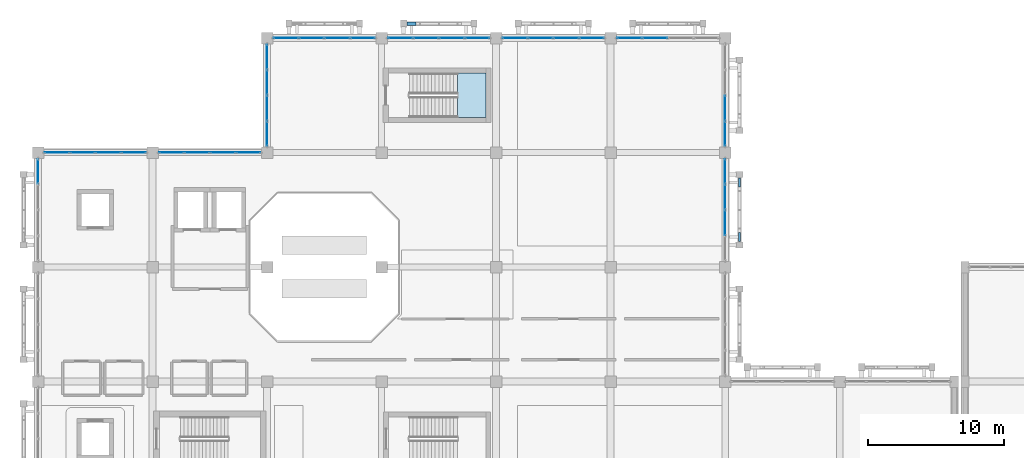
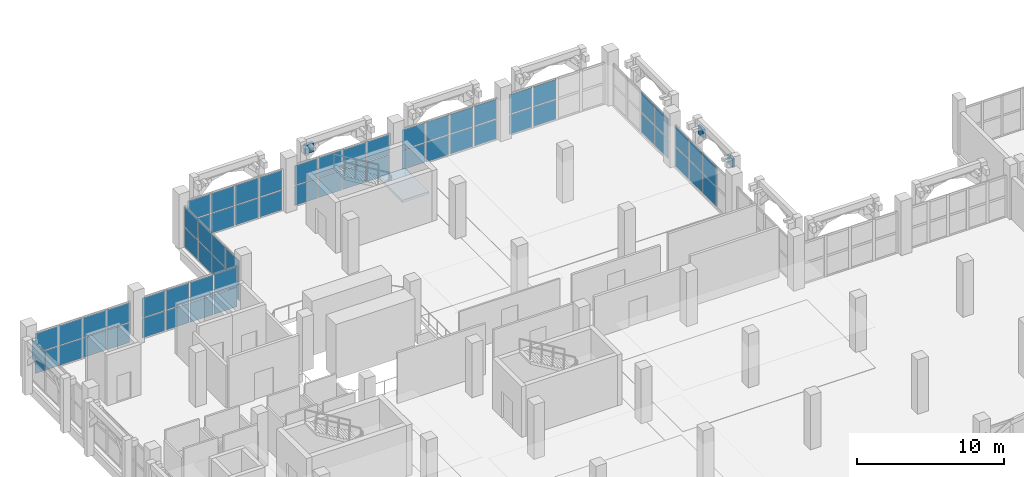
# One storey, part 102 of 137: 66 plates, 1 slab, 11 elements without a shape of their own.
"""IFC4 building model written with IfcOpenShell, lengths in metres."""

from ifc_helpers import new_model, si_unit, direction, frame, origin, origin_2d, place, context, subcontext, project, spatial, polyline, rectangle, outline, extrude, material, layer, layer_set, type_object, element, aggregate, save


model = new_model("IFC4")

# Units and contexts
model_context = context("Model", 3, precision=1e-05, world=origin(), true_north=direction((0.0, 1.0)))
body_context = subcontext(model_context, "Body", "Model", "MODEL_VIEW")
ifc_project = project(units=[si_unit("LENGTHUNIT", "METRE"), si_unit("AREAUNIT", "SQUARE_METRE"), si_unit("VOLUMEUNIT", "CUBIC_METRE"), si_unit("PLANEANGLEUNIT", "RADIAN"), si_unit("MASSUNIT", "GRAM", prefix="KILO")], contexts=[model_context])

# Site, building, storey
site_placement = place(None, origin())
site = spatial("IfcSite", under=ifc_project, at=site_placement, CompositionType="ELEMENT")
building_placement = place(site_placement, origin())
building = spatial("IfcBuilding", under=site, at=building_placement, Name="Xazarin Passage Department Store", CompositionType="ELEMENT")
storey_placement = place(building_placement, frame((0.0, 0.0, 5.39990234375)))
storey = spatial("IfcBuildingStorey", under=building, at=storey_placement, Name="L01", CompositionType="ELEMENT", Elevation=5.39990234375)

# Curtain wall, plates
ifc_material_1 = material(Name="Bronze anodised aluminium", Category="aluminium")
ifc_layer_1 = layer(ifc_material_1, 0.179931640625)
ifc_layer_set_1 = layer_set([ifc_layer_1], Name="Bronze anodised aluminium")
curtain_wall_type = type_object("IfcCurtainWallType", Name="ARC-CW-VIT1", PredefinedType="NOTDEFINED", material=ifc_layer_set_1)
curtain_wall_1_placement = place(storey_placement, origin())
curtain_wall_1 = element("IfcCurtainWall", 1, at=curtain_wall_1_placement, inside=storey, type_object=curtain_wall_type, Name="L01 V1 Curtain Wall 012", PredefinedType="NOTDEFINED")
ifc_material_2 = material(Name="Low-E laminated safety glass", Category="glass")
ifc_layer_2 = layer(ifc_material_2, 0.031982421875)
ifc_layer_set_2 = layer_set([ifc_layer_2], Name="Low-E laminated safety glass")
plate_type_1 = type_object("IfcPlateType", Name="ARC-CWP-GLZ32", PredefinedType="CURTAIN_PANEL", material=ifc_layer_set_2)
plate_1_placement = place(storey_placement, frame((1.387451171875, 101.60009765625, 0.0751953125), z_axis=(0.0, 0.0, 1.0), x_axis=(1.0, 0.0, 0.0)))
plate_1 = element("IfcPlate", 2, at=plate_1_placement, type_object=plate_type_1, Name="CW1 panel 1.1", PredefinedType="CURTAIN_PANEL", context=body_context, shape_type="SweptSolid", body=[
    extrude(rectangle(XDim=1.77490234375, YDim=0.031982421875, at=origin_2d()), origin(), (0.0, 0.0, 1.0), 1.612548828125),
])
plate_2_placement = place(storey_placement, frame((1.387451171875, 101.60009765625, 1.7626953125), z_axis=(0.0, 0.0, 1.0), x_axis=(1.0, 0.0, 0.0)))
plate_2 = element("IfcPlate", 3, at=plate_2_placement, type_object=plate_type_1, Name="CW1 panel 1.2", PredefinedType="CURTAIN_PANEL", context=body_context, shape_type="SweptSolid", body=[
    extrude(rectangle(XDim=1.77490234375, YDim=0.031982421875, at=origin_2d()), origin(), (0.0, 0.0, 1.0), 1.612548828125),
])
plate_3_placement = place(storey_placement, frame((3.25634765625, 101.60009765625, 0.0751953125), z_axis=(0.0, 0.0, 1.0), x_axis=(1.0, 0.0, 0.0)))
plate_3 = element("IfcPlate", 4, at=plate_3_placement, type_object=plate_type_1, Name="CW1 panel 2.1", PredefinedType="CURTAIN_PANEL", context=body_context, shape_type="SweptSolid", body=[
    extrude(rectangle(XDim=1.8125, YDim=0.031982421875, at=origin_2d()), origin(), (0.0, 0.0, 1.0), 1.612548828125),
])
plate_4_placement = place(storey_placement, frame((3.25634765625, 101.60009765625, 1.7626953125), z_axis=(0.0, 0.0, 1.0), x_axis=(1.0, 0.0, 0.0)))
plate_4 = element("IfcPlate", 5, at=plate_4_placement, type_object=plate_type_1, Name="CW1 panel 2.2", PredefinedType="CURTAIN_PANEL", context=body_context, shape_type="SweptSolid", body=[
    extrude(rectangle(XDim=1.8125, YDim=0.031982421875, at=origin_2d()), origin(), (0.0, 0.0, 1.0), 1.612548828125),
])
plate_5_placement = place(storey_placement, frame((5.143798828125, 101.60009765625, 0.0751953125), z_axis=(0.0, 0.0, 1.0), x_axis=(1.0, 0.0, 0.0)))
plate_5 = element("IfcPlate", 6, at=plate_5_placement, type_object=plate_type_1, Name="CW1 panel 3.1", PredefinedType="CURTAIN_PANEL", context=body_context, shape_type="SweptSolid", body=[
    extrude(rectangle(XDim=1.8125, YDim=0.031982421875, at=origin_2d()), origin(), (0.0, 0.0, 1.0), 1.612548828125),
])
plate_6_placement = place(storey_placement, frame((5.143798828125, 101.60009765625, 1.7626953125), z_axis=(0.0, 0.0, 1.0), x_axis=(1.0, 0.0, 0.0)))
plate_6 = element("IfcPlate", 7, at=plate_6_placement, type_object=plate_type_1, Name="CW1 panel 3.2", PredefinedType="CURTAIN_PANEL", context=body_context, shape_type="SweptSolid", body=[
    extrude(rectangle(XDim=1.8125, YDim=0.031982421875, at=origin_2d()), origin(), (0.0, 0.0, 1.0), 1.612548828125),
])
plate_7_placement = place(storey_placement, frame((7.012451171875, 101.60009765625, 0.0751953125), z_axis=(0.0, 0.0, 1.0), x_axis=(1.0, 0.0, 0.0)))
plate_7 = element("IfcPlate", 8, at=plate_7_placement, type_object=plate_type_1, Name="CW1 panel 4.1", PredefinedType="CURTAIN_PANEL", context=body_context, shape_type="SweptSolid", body=[
    extrude(rectangle(XDim=1.77490234375, YDim=0.031982421875, at=origin_2d()), origin(), (0.0, 0.0, 1.0), 1.612548828125),
])
plate_8_placement = place(storey_placement, frame((7.012451171875, 101.60009765625, 1.7626953125), z_axis=(0.0, 0.0, 1.0), x_axis=(1.0, 0.0, 0.0)))
plate_8 = element("IfcPlate", 9, at=plate_8_placement, type_object=plate_type_1, Name="CW1 panel 4.2", PredefinedType="CURTAIN_PANEL", context=body_context, shape_type="SweptSolid", body=[
    extrude(rectangle(XDim=1.77490234375, YDim=0.031982421875, at=origin_2d()), origin(), (0.0, 0.0, 1.0), 1.612548828125),
])
aggregate(curtain_wall_1, [plate_1, plate_2, plate_3, plate_4, plate_5, plate_6, plate_7, plate_8])

curtain_wall_2_placement = place(storey_placement, origin())
curtain_wall_2 = element("IfcCurtainWall", 10, at=curtain_wall_2_placement, inside=storey, type_object=curtain_wall_type, Name="L01 V1 Curtain Wall 013", PredefinedType="NOTDEFINED")
plate_9_placement = place(storey_placement, frame((9.78759765625, 101.60009765625, 0.0751953125), z_axis=(0.0, 0.0, 1.0), x_axis=(1.0, 0.0, 0.0)))
plate_9 = element("IfcPlate", 11, at=plate_9_placement, type_object=plate_type_1, Name="CW1 panel 1.1", PredefinedType="CURTAIN_PANEL", context=body_context, shape_type="SweptSolid", body=[
    extrude(rectangle(XDim=1.77490234375, YDim=0.031982421875, at=origin_2d()), origin(), (0.0, 0.0, 1.0), 1.612548828125),
])
plate_10_placement = place(storey_placement, frame((9.78759765625, 101.60009765625, 1.7626953125), z_axis=(0.0, 0.0, 1.0), x_axis=(1.0, 0.0, 0.0)))
plate_10 = element("IfcPlate", 12, at=plate_10_placement, type_object=plate_type_1, Name="CW1 panel 1.2", PredefinedType="CURTAIN_PANEL", context=body_context, shape_type="SweptSolid", body=[
    extrude(rectangle(XDim=1.77490234375, YDim=0.031982421875, at=origin_2d()), origin(), (0.0, 0.0, 1.0), 1.612548828125),
])
plate_11_placement = place(storey_placement, frame((11.65625, 101.60009765625, 0.0751953125), z_axis=(0.0, 0.0, 1.0), x_axis=(1.0, 0.0, 0.0)))
plate_11 = element("IfcPlate", 13, at=plate_11_placement, type_object=plate_type_1, Name="CW1 panel 2.1", PredefinedType="CURTAIN_PANEL", context=body_context, shape_type="SweptSolid", body=[
    extrude(rectangle(XDim=1.8125, YDim=0.031982421875, at=origin_2d()), origin(), (0.0, 0.0, 1.0), 1.612548828125),
])
plate_12_placement = place(storey_placement, frame((11.65625, 101.60009765625, 1.7626953125), z_axis=(0.0, 0.0, 1.0), x_axis=(1.0, 0.0, 0.0)))
plate_12 = element("IfcPlate", 14, at=plate_12_placement, type_object=plate_type_1, Name="CW1 panel 2.2", PredefinedType="CURTAIN_PANEL", context=body_context, shape_type="SweptSolid", body=[
    extrude(rectangle(XDim=1.8125, YDim=0.031982421875, at=origin_2d()), origin(), (0.0, 0.0, 1.0), 1.612548828125),
])
plate_13_placement = place(storey_placement, frame((13.543701171875, 101.60009765625, 0.0751953125), z_axis=(0.0, 0.0, 1.0), x_axis=(1.0, 0.0, 0.0)))
plate_13 = element("IfcPlate", 15, at=plate_13_placement, type_object=plate_type_1, Name="CW1 panel 3.1", PredefinedType="CURTAIN_PANEL", context=body_context, shape_type="SweptSolid", body=[
    extrude(rectangle(XDim=1.8125, YDim=0.031982421875, at=origin_2d()), origin(), (0.0, 0.0, 1.0), 1.612548828125),
])
plate_14_placement = place(storey_placement, frame((13.543701171875, 101.60009765625, 1.7626953125), z_axis=(0.0, 0.0, 1.0), x_axis=(1.0, 0.0, 0.0)))
plate_14 = element("IfcPlate", 16, at=plate_14_placement, type_object=plate_type_1, Name="CW1 panel 3.2", PredefinedType="CURTAIN_PANEL", context=body_context, shape_type="SweptSolid", body=[
    extrude(rectangle(XDim=1.8125, YDim=0.031982421875, at=origin_2d()), origin(), (0.0, 0.0, 1.0), 1.612548828125),
])
plate_15_placement = place(storey_placement, frame((15.41259765625, 101.60009765625, 0.0751953125), z_axis=(0.0, 0.0, 1.0), x_axis=(1.0, 0.0, 0.0)))
plate_15 = element("IfcPlate", 17, at=plate_15_placement, type_object=plate_type_1, Name="CW1 panel 4.1", PredefinedType="CURTAIN_PANEL", context=body_context, shape_type="SweptSolid", body=[
    extrude(rectangle(XDim=1.77490234375, YDim=0.031982421875, at=origin_2d()), origin(), (0.0, 0.0, 1.0), 1.612548828125),
])
plate_16_placement = place(storey_placement, frame((15.41259765625, 101.60009765625, 1.7626953125), z_axis=(0.0, 0.0, 1.0), x_axis=(1.0, 0.0, 0.0)))
plate_16 = element("IfcPlate", 18, at=plate_16_placement, type_object=plate_type_1, Name="CW1 panel 4.2", PredefinedType="CURTAIN_PANEL", context=body_context, shape_type="SweptSolid", body=[
    extrude(rectangle(XDim=1.77490234375, YDim=0.031982421875, at=origin_2d()), origin(), (0.0, 0.0, 1.0), 1.612548828125),
])
aggregate(curtain_wall_2, [plate_9, plate_10, plate_11, plate_12, plate_13, plate_14, plate_15, plate_16])

curtain_wall_3_placement = place(storey_placement, origin())
curtain_wall_3 = element("IfcCurtainWall", 19, at=curtain_wall_3_placement, inside=storey, type_object=curtain_wall_type, Name="L01 V1 Curtain Wall 014", PredefinedType="NOTDEFINED")
plate_17_placement = place(storey_placement, frame((18.1875, 110.0, 0.0751953125), z_axis=(0.0, 0.0, 1.0), x_axis=(1.0, 0.0, 0.0)))
plate_17 = element("IfcPlate", 20, at=plate_17_placement, type_object=plate_type_1, Name="CW1 panel 1.1", PredefinedType="CURTAIN_PANEL", context=body_context, shape_type="SweptSolid", body=[
    extrude(rectangle(XDim=1.77490234375, YDim=0.031982421875, at=origin_2d()), origin(), (0.0, 0.0, 1.0), 1.612548828125),
])
plate_18_placement = place(storey_placement, frame((18.1875, 110.0, 1.7626953125), z_axis=(0.0, 0.0, 1.0), x_axis=(1.0, 0.0, 0.0)))
plate_18 = element("IfcPlate", 21, at=plate_18_placement, type_object=plate_type_1, Name="CW1 panel 1.2", PredefinedType="CURTAIN_PANEL", context=body_context, shape_type="SweptSolid", body=[
    extrude(rectangle(XDim=1.77490234375, YDim=0.031982421875, at=origin_2d()), origin(), (0.0, 0.0, 1.0), 1.612548828125),
])
plate_19_placement = place(storey_placement, frame((20.05615234375, 110.0, 0.0751953125), z_axis=(0.0, 0.0, 1.0), x_axis=(1.0, 0.0, 0.0)))
plate_19 = element("IfcPlate", 22, at=plate_19_placement, type_object=plate_type_1, Name="CW1 panel 2.1", PredefinedType="CURTAIN_PANEL", context=body_context, shape_type="SweptSolid", body=[
    extrude(rectangle(XDim=1.8125, YDim=0.031982421875, at=origin_2d()), origin(), (0.0, 0.0, 1.0), 1.612548828125),
])
plate_20_placement = place(storey_placement, frame((20.05615234375, 110.0, 1.7626953125), z_axis=(0.0, 0.0, 1.0), x_axis=(1.0, 0.0, 0.0)))
plate_20 = element("IfcPlate", 23, at=plate_20_placement, type_object=plate_type_1, Name="CW1 panel 2.2", PredefinedType="CURTAIN_PANEL", context=body_context, shape_type="SweptSolid", body=[
    extrude(rectangle(XDim=1.8125, YDim=0.031982421875, at=origin_2d()), origin(), (0.0, 0.0, 1.0), 1.612548828125),
])
plate_21_placement = place(storey_placement, frame((21.94384765625, 110.0, 0.0751953125), z_axis=(0.0, 0.0, 1.0), x_axis=(1.0, 0.0, 0.0)))
plate_21 = element("IfcPlate", 24, at=plate_21_placement, type_object=plate_type_1, Name="CW1 panel 3.1", PredefinedType="CURTAIN_PANEL", context=body_context, shape_type="SweptSolid", body=[
    extrude(rectangle(XDim=1.8125, YDim=0.031982421875, at=origin_2d()), origin(), (0.0, 0.0, 1.0), 1.612548828125),
])
plate_22_placement = place(storey_placement, frame((21.94384765625, 110.0, 1.7626953125), z_axis=(0.0, 0.0, 1.0), x_axis=(1.0, 0.0, 0.0)))
plate_22 = element("IfcPlate", 25, at=plate_22_placement, type_object=plate_type_1, Name="CW1 panel 3.2", PredefinedType="CURTAIN_PANEL", context=body_context, shape_type="SweptSolid", body=[
    extrude(rectangle(XDim=1.8125, YDim=0.031982421875, at=origin_2d()), origin(), (0.0, 0.0, 1.0), 1.612548828125),
])
plate_23_placement = place(storey_placement, frame((23.8125, 110.0, 0.0751953125), z_axis=(0.0, 0.0, 1.0), x_axis=(1.0, 0.0, 0.0)))
plate_23 = element("IfcPlate", 26, at=plate_23_placement, type_object=plate_type_1, Name="CW1 panel 4.1", PredefinedType="CURTAIN_PANEL", context=body_context, shape_type="SweptSolid", body=[
    extrude(rectangle(XDim=1.77490234375, YDim=0.031982421875, at=origin_2d()), origin(), (0.0, 0.0, 1.0), 1.612548828125),
])
plate_24_placement = place(storey_placement, frame((23.8125, 110.0, 1.7626953125), z_axis=(0.0, 0.0, 1.0), x_axis=(1.0, 0.0, 0.0)))
plate_24 = element("IfcPlate", 27, at=plate_24_placement, type_object=plate_type_1, Name="CW1 panel 4.2", PredefinedType="CURTAIN_PANEL", context=body_context, shape_type="SweptSolid", body=[
    extrude(rectangle(XDim=1.77490234375, YDim=0.031982421875, at=origin_2d()), origin(), (0.0, 0.0, 1.0), 1.612548828125),
])
aggregate(curtain_wall_3, [plate_17, plate_18, plate_19, plate_20, plate_21, plate_22, plate_23, plate_24])

curtain_wall_4_placement = place(storey_placement, origin())
curtain_wall_4 = element("IfcCurtainWall", 28, at=curtain_wall_4_placement, inside=storey, type_object=curtain_wall_type, Name="L01 V1 Curtain Wall 015", PredefinedType="NOTDEFINED")
plate_25_placement = place(storey_placement, frame((26.58740234375, 110.0, 0.0751953125), z_axis=(0.0, 0.0, 1.0), x_axis=(1.0, 0.0, 0.0)))
plate_25 = element("IfcPlate", 29, at=plate_25_placement, type_object=plate_type_1, Name="CW1 panel 1.1", PredefinedType="CURTAIN_PANEL", context=body_context, shape_type="SweptSolid", body=[
    extrude(rectangle(XDim=1.77490234375, YDim=0.031982421875, at=origin_2d()), origin(), (0.0, 0.0, 1.0), 1.612548828125),
])
plate_26_placement = place(storey_placement, frame((26.58740234375, 110.0, 1.7626953125), z_axis=(0.0, 0.0, 1.0), x_axis=(1.0, 0.0, 0.0)))
plate_26 = element("IfcPlate", 30, at=plate_26_placement, type_object=plate_type_1, Name="CW1 panel 1.2", PredefinedType="CURTAIN_PANEL", context=body_context, shape_type="SweptSolid", body=[
    extrude(rectangle(XDim=1.77490234375, YDim=0.031982421875, at=origin_2d()), origin(), (0.0, 0.0, 1.0), 1.612548828125),
])
plate_27_placement = place(storey_placement, frame((28.456298828125, 110.0, 0.0751953125), z_axis=(0.0, 0.0, 1.0), x_axis=(1.0, 0.0, 0.0)))
plate_27 = element("IfcPlate", 31, at=plate_27_placement, type_object=plate_type_1, Name="CW1 panel 2.1", PredefinedType="CURTAIN_PANEL", context=body_context, shape_type="SweptSolid", body=[
    extrude(rectangle(XDim=1.8125, YDim=0.031982421875, at=origin_2d()), origin(), (0.0, 0.0, 1.0), 1.612548828125),
])
plate_28_placement = place(storey_placement, frame((28.456298828125, 110.0, 1.7626953125), z_axis=(0.0, 0.0, 1.0), x_axis=(1.0, 0.0, 0.0)))
plate_28 = element("IfcPlate", 32, at=plate_28_placement, type_object=plate_type_1, Name="CW1 panel 2.2", PredefinedType="CURTAIN_PANEL", context=body_context, shape_type="SweptSolid", body=[
    extrude(rectangle(XDim=1.8125, YDim=0.031982421875, at=origin_2d()), origin(), (0.0, 0.0, 1.0), 1.612548828125),
])
plate_29_placement = place(storey_placement, frame((30.34375, 110.0, 0.0751953125), z_axis=(0.0, 0.0, 1.0), x_axis=(1.0, 0.0, 0.0)))
plate_29 = element("IfcPlate", 33, at=plate_29_placement, type_object=plate_type_1, Name="CW1 panel 3.1", PredefinedType="CURTAIN_PANEL", context=body_context, shape_type="SweptSolid", body=[
    extrude(rectangle(XDim=1.8125, YDim=0.031982421875, at=origin_2d()), origin(), (0.0, 0.0, 1.0), 1.612548828125),
])
plate_30_placement = place(storey_placement, frame((30.34375, 110.0, 1.7626953125), z_axis=(0.0, 0.0, 1.0), x_axis=(1.0, 0.0, 0.0)))
plate_30 = element("IfcPlate", 34, at=plate_30_placement, type_object=plate_type_1, Name="CW1 panel 3.2", PredefinedType="CURTAIN_PANEL", context=body_context, shape_type="SweptSolid", body=[
    extrude(rectangle(XDim=1.8125, YDim=0.031982421875, at=origin_2d()), origin(), (0.0, 0.0, 1.0), 1.612548828125),
])
plate_31_placement = place(storey_placement, frame((32.21240234375, 110.0, 0.0751953125), z_axis=(0.0, 0.0, 1.0), x_axis=(1.0, 0.0, 0.0)))
plate_31 = element("IfcPlate", 35, at=plate_31_placement, type_object=plate_type_1, Name="CW1 panel 4.1", PredefinedType="CURTAIN_PANEL", context=body_context, shape_type="SweptSolid", body=[
    extrude(rectangle(XDim=1.77490234375, YDim=0.031982421875, at=origin_2d()), origin(), (0.0, 0.0, 1.0), 1.612548828125),
])
plate_32_placement = place(storey_placement, frame((32.21240234375, 110.0, 1.7626953125), z_axis=(0.0, 0.0, 1.0), x_axis=(1.0, 0.0, 0.0)))
plate_32 = element("IfcPlate", 36, at=plate_32_placement, type_object=plate_type_1, Name="CW1 panel 4.2", PredefinedType="CURTAIN_PANEL", context=body_context, shape_type="SweptSolid", body=[
    extrude(rectangle(XDim=1.77490234375, YDim=0.031982421875, at=origin_2d()), origin(), (0.0, 0.0, 1.0), 1.612548828125),
])
aggregate(curtain_wall_4, [plate_25, plate_26, plate_27, plate_28, plate_29, plate_30, plate_31, plate_32])

curtain_wall_5_placement = place(storey_placement, origin())
curtain_wall_5 = element("IfcCurtainWall", 37, at=curtain_wall_5_placement, inside=storey, type_object=curtain_wall_type, Name="L01 V1 Curtain Wall 016", PredefinedType="NOTDEFINED")
plate_33_placement = place(storey_placement, frame((34.987548828125, 110.0, 0.0751953125), z_axis=(0.0, 0.0, 1.0), x_axis=(1.0, 0.0, 0.0)))
plate_33 = element("IfcPlate", 38, at=plate_33_placement, type_object=plate_type_1, Name="CW1 panel 1.1", PredefinedType="CURTAIN_PANEL", context=body_context, shape_type="SweptSolid", body=[
    extrude(rectangle(XDim=1.77490234375, YDim=0.031982421875, at=origin_2d()), origin(), (0.0, 0.0, 1.0), 1.612548828125),
])
plate_34_placement = place(storey_placement, frame((34.987548828125, 110.0, 1.7626953125), z_axis=(0.0, 0.0, 1.0), x_axis=(1.0, 0.0, 0.0)))
plate_34 = element("IfcPlate", 39, at=plate_34_placement, type_object=plate_type_1, Name="CW1 panel 1.2", PredefinedType="CURTAIN_PANEL", context=body_context, shape_type="SweptSolid", body=[
    extrude(rectangle(XDim=1.77490234375, YDim=0.031982421875, at=origin_2d()), origin(), (0.0, 0.0, 1.0), 1.612548828125),
])
plate_35_placement = place(storey_placement, frame((36.856201171875, 110.0, 0.0751953125), z_axis=(0.0, 0.0, 1.0), x_axis=(1.0, 0.0, 0.0)))
plate_35 = element("IfcPlate", 40, at=plate_35_placement, type_object=plate_type_1, Name="CW1 panel 2.1", PredefinedType="CURTAIN_PANEL", context=body_context, shape_type="SweptSolid", body=[
    extrude(rectangle(XDim=1.8125, YDim=0.031982421875, at=origin_2d()), origin(), (0.0, 0.0, 1.0), 1.612548828125),
])
plate_36_placement = place(storey_placement, frame((36.856201171875, 110.0, 1.7626953125), z_axis=(0.0, 0.0, 1.0), x_axis=(1.0, 0.0, 0.0)))
plate_36 = element("IfcPlate", 41, at=plate_36_placement, type_object=plate_type_1, Name="CW1 panel 2.2", PredefinedType="CURTAIN_PANEL", context=body_context, shape_type="SweptSolid", body=[
    extrude(rectangle(XDim=1.8125, YDim=0.031982421875, at=origin_2d()), origin(), (0.0, 0.0, 1.0), 1.612548828125),
])
plate_37_placement = place(storey_placement, frame((38.74365234375, 110.0, 0.0751953125), z_axis=(0.0, 0.0, 1.0), x_axis=(1.0, 0.0, 0.0)))
plate_37 = element("IfcPlate", 42, at=plate_37_placement, type_object=plate_type_1, Name="CW1 panel 3.1", PredefinedType="CURTAIN_PANEL", context=body_context, shape_type="SweptSolid", body=[
    extrude(rectangle(XDim=1.8125, YDim=0.031982421875, at=origin_2d()), origin(), (0.0, 0.0, 1.0), 1.612548828125),
])
plate_38_placement = place(storey_placement, frame((38.74365234375, 110.0, 1.7626953125), z_axis=(0.0, 0.0, 1.0), x_axis=(1.0, 0.0, 0.0)))
plate_38 = element("IfcPlate", 43, at=plate_38_placement, type_object=plate_type_1, Name="CW1 panel 3.2", PredefinedType="CURTAIN_PANEL", context=body_context, shape_type="SweptSolid", body=[
    extrude(rectangle(XDim=1.8125, YDim=0.031982421875, at=origin_2d()), origin(), (0.0, 0.0, 1.0), 1.612548828125),
])
plate_39_placement = place(storey_placement, frame((40.612548828125, 110.0, 0.0751953125), z_axis=(0.0, 0.0, 1.0), x_axis=(1.0, 0.0, 0.0)))
plate_39 = element("IfcPlate", 44, at=plate_39_placement, type_object=plate_type_1, Name="CW1 panel 4.1", PredefinedType="CURTAIN_PANEL", context=body_context, shape_type="SweptSolid", body=[
    extrude(rectangle(XDim=1.77490234375, YDim=0.031982421875, at=origin_2d()), origin(), (0.0, 0.0, 1.0), 1.612548828125),
])
plate_40_placement = place(storey_placement, frame((40.612548828125, 110.0, 1.7626953125), z_axis=(0.0, 0.0, 1.0), x_axis=(1.0, 0.0, 0.0)))
plate_40 = element("IfcPlate", 45, at=plate_40_placement, type_object=plate_type_1, Name="CW1 panel 4.2", PredefinedType="CURTAIN_PANEL", context=body_context, shape_type="SweptSolid", body=[
    extrude(rectangle(XDim=1.77490234375, YDim=0.031982421875, at=origin_2d()), origin(), (0.0, 0.0, 1.0), 1.612548828125),
])
aggregate(curtain_wall_5, [plate_33, plate_34, plate_35, plate_36, plate_37, plate_38, plate_39, plate_40])

curtain_wall_6_placement = place(storey_placement, origin())
curtain_wall_6 = element("IfcCurtainWall", 46, at=curtain_wall_6_placement, inside=storey, type_object=curtain_wall_type, Name="L01 V1 Curtain Wall 017", PredefinedType="NOTDEFINED")
plate_41_placement = place(storey_placement, frame((43.387451171875, 110.0, 0.0751953125), z_axis=(0.0, 0.0, 1.0), x_axis=(1.0, 0.0, 0.0)))
plate_41 = element("IfcPlate", 47, at=plate_41_placement, type_object=plate_type_1, Name="CW1 panel 1.1", PredefinedType="CURTAIN_PANEL", context=body_context, shape_type="SweptSolid", body=[
    extrude(rectangle(XDim=1.77490234375, YDim=0.031982421875, at=origin_2d()), origin(), (0.0, 0.0, 1.0), 1.612548828125),
])
plate_42_placement = place(storey_placement, frame((43.387451171875, 110.0, 1.7626953125), z_axis=(0.0, 0.0, 1.0), x_axis=(1.0, 0.0, 0.0)))
plate_42 = element("IfcPlate", 48, at=plate_42_placement, type_object=plate_type_1, Name="CW1 panel 1.2", PredefinedType="CURTAIN_PANEL", context=body_context, shape_type="SweptSolid", body=[
    extrude(rectangle(XDim=1.77490234375, YDim=0.031982421875, at=origin_2d()), origin(), (0.0, 0.0, 1.0), 1.612548828125),
])
plate_43_placement = place(storey_placement, frame((45.25634765625, 110.0, 0.0751953125), z_axis=(0.0, 0.0, 1.0), x_axis=(1.0, 0.0, 0.0)))
plate_43 = element("IfcPlate", 49, at=plate_43_placement, type_object=plate_type_1, Name="CW1 panel 2.1", PredefinedType="CURTAIN_PANEL", context=body_context, shape_type="SweptSolid", body=[
    extrude(rectangle(XDim=1.8125, YDim=0.031982421875, at=origin_2d()), origin(), (0.0, 0.0, 1.0), 1.612548828125),
])
plate_44_placement = place(storey_placement, frame((45.25634765625, 110.0, 1.7626953125), z_axis=(0.0, 0.0, 1.0), x_axis=(1.0, 0.0, 0.0)))
plate_44 = element("IfcPlate", 50, at=plate_44_placement, type_object=plate_type_1, Name="CW1 panel 2.2", PredefinedType="CURTAIN_PANEL", context=body_context, shape_type="SweptSolid", body=[
    extrude(rectangle(XDim=1.8125, YDim=0.031982421875, at=origin_2d()), origin(), (0.0, 0.0, 1.0), 1.612548828125),
])
aggregate(curtain_wall_6, [plate_41, plate_42, plate_43, plate_44])

# Curtain wall, plate
curtain_wall_7_placement = place(storey_placement, origin())
curtain_wall_7 = element("IfcCurtainWall", 51, at=curtain_wall_7_placement, inside=storey, type_object=curtain_wall_type, Name="L01 V1 Curtain Wall 023", PredefinedType="NOTDEFINED")
plate_45_placement = place(storey_placement, frame((0.0, 100.21240234375, 1.7626953125), z_axis=(0.0, 0.0, 1.0), x_axis=(0.0, 1.0, 0.0)))
plate_45 = element("IfcPlate", 52, at=plate_45_placement, type_object=plate_type_1, Name="CW1 panel 4.2", PredefinedType="CURTAIN_PANEL", context=body_context, shape_type="SweptSolid", body=[
    extrude(rectangle(XDim=1.77490234375, YDim=0.031982421875, at=origin_2d()), origin(), (0.0, 0.0, 1.0), 1.612548828125),
])
aggregate(curtain_wall_7, [plate_45])

# Curtain wall, plates
curtain_wall_8_placement = place(storey_placement, origin())
curtain_wall_8 = element("IfcCurtainWall", 53, at=curtain_wall_8_placement, inside=storey, type_object=curtain_wall_type, Name="L01 V1 Curtain Wall 024", PredefinedType="NOTDEFINED")
plate_46_placement = place(storey_placement, frame((16.800048828125, 102.987548828125, 0.0751953125), z_axis=(0.0, 0.0, 1.0), x_axis=(0.0, 1.0, 0.0)))
plate_46 = element("IfcPlate", 54, at=plate_46_placement, type_object=plate_type_1, Name="CW1 panel 1.1", PredefinedType="CURTAIN_PANEL", context=body_context, shape_type="SweptSolid", body=[
    extrude(rectangle(XDim=1.77490234375, YDim=0.031982421875, at=origin_2d()), origin(), (0.0, 0.0, 1.0), 1.612548828125),
])
plate_47_placement = place(storey_placement, frame((16.800048828125, 102.987548828125, 1.7626953125), z_axis=(0.0, 0.0, 1.0), x_axis=(0.0, 1.0, 0.0)))
plate_47 = element("IfcPlate", 55, at=plate_47_placement, type_object=plate_type_1, Name="CW1 panel 1.2", PredefinedType="CURTAIN_PANEL", context=body_context, shape_type="SweptSolid", body=[
    extrude(rectangle(XDim=1.77490234375, YDim=0.031982421875, at=origin_2d()), origin(), (0.0, 0.0, 1.0), 1.612548828125),
])
plate_48_placement = place(storey_placement, frame((16.800048828125, 104.856201171875, 0.0751953125), z_axis=(0.0, 0.0, 1.0), x_axis=(0.0, 1.0, 0.0)))
plate_48 = element("IfcPlate", 56, at=plate_48_placement, type_object=plate_type_1, Name="CW1 panel 2.1", PredefinedType="CURTAIN_PANEL", context=body_context, shape_type="SweptSolid", body=[
    extrude(rectangle(XDim=1.8125, YDim=0.031982421875, at=origin_2d()), origin(), (0.0, 0.0, 1.0), 1.612548828125),
])
plate_49_placement = place(storey_placement, frame((16.800048828125, 104.856201171875, 1.7626953125), z_axis=(0.0, 0.0, 1.0), x_axis=(0.0, 1.0, 0.0)))
plate_49 = element("IfcPlate", 57, at=plate_49_placement, type_object=plate_type_1, Name="CW1 panel 2.2", PredefinedType="CURTAIN_PANEL", context=body_context, shape_type="SweptSolid", body=[
    extrude(rectangle(XDim=1.8125, YDim=0.031982421875, at=origin_2d()), origin(), (0.0, 0.0, 1.0), 1.612548828125),
])
plate_50_placement = place(storey_placement, frame((16.800048828125, 106.74365234375, 0.0751953125), z_axis=(0.0, 0.0, 1.0), x_axis=(0.0, 1.0, 0.0)))
plate_50 = element("IfcPlate", 58, at=plate_50_placement, type_object=plate_type_1, Name="CW1 panel 3.1", PredefinedType="CURTAIN_PANEL", context=body_context, shape_type="SweptSolid", body=[
    extrude(rectangle(XDim=1.8125, YDim=0.031982421875, at=origin_2d()), origin(), (0.0, 0.0, 1.0), 1.612548828125),
])
plate_51_placement = place(storey_placement, frame((16.800048828125, 106.74365234375, 1.7626953125), z_axis=(0.0, 0.0, 1.0), x_axis=(0.0, 1.0, 0.0)))
plate_51 = element("IfcPlate", 59, at=plate_51_placement, type_object=plate_type_1, Name="CW1 panel 3.2", PredefinedType="CURTAIN_PANEL", context=body_context, shape_type="SweptSolid", body=[
    extrude(rectangle(XDim=1.8125, YDim=0.031982421875, at=origin_2d()), origin(), (0.0, 0.0, 1.0), 1.612548828125),
])
plate_52_placement = place(storey_placement, frame((16.800048828125, 108.612548828125, 0.0751953125), z_axis=(0.0, 0.0, 1.0), x_axis=(0.0, 1.0, 0.0)))
plate_52 = element("IfcPlate", 60, at=plate_52_placement, type_object=plate_type_1, Name="CW1 panel 4.1", PredefinedType="CURTAIN_PANEL", context=body_context, shape_type="SweptSolid", body=[
    extrude(rectangle(XDim=1.77490234375, YDim=0.031982421875, at=origin_2d()), origin(), (0.0, 0.0, 1.0), 1.612548828125),
])
plate_53_placement = place(storey_placement, frame((16.800048828125, 108.612548828125, 1.7626953125), z_axis=(0.0, 0.0, 1.0), x_axis=(0.0, 1.0, 0.0)))
plate_53 = element("IfcPlate", 61, at=plate_53_placement, type_object=plate_type_1, Name="CW1 panel 4.2", PredefinedType="CURTAIN_PANEL", context=body_context, shape_type="SweptSolid", body=[
    extrude(rectangle(XDim=1.77490234375, YDim=0.031982421875, at=origin_2d()), origin(), (0.0, 0.0, 1.0), 1.612548828125),
])
aggregate(curtain_wall_8, [plate_46, plate_47, plate_48, plate_49, plate_50, plate_51, plate_52, plate_53])

curtain_wall_9_placement = place(storey_placement, origin())
curtain_wall_9 = element("IfcCurtainWall", 62, at=curtain_wall_9_placement, inside=storey, type_object=curtain_wall_type, Name="L01 V1 Curtain Wall 027", PredefinedType="NOTDEFINED")
plate_54_placement = place(storey_placement, frame((50.39990234375, 96.456298828125, 0.0751953125), z_axis=(0.0, 0.0, 1.0), x_axis=(0.0, 1.0, 0.0)))
plate_54 = element("IfcPlate", 63, at=plate_54_placement, type_object=plate_type_1, Name="CW1 panel 2.1", PredefinedType="CURTAIN_PANEL", context=body_context, shape_type="SweptSolid", body=[
    extrude(rectangle(XDim=1.8125, YDim=0.031982421875, at=origin_2d()), origin(), (0.0, 0.0, 1.0), 1.612548828125),
])
plate_55_placement = place(storey_placement, frame((50.39990234375, 96.456298828125, 1.7626953125), z_axis=(0.0, 0.0, 1.0), x_axis=(0.0, 1.0, 0.0)))
plate_55 = element("IfcPlate", 64, at=plate_55_placement, type_object=plate_type_1, Name="CW1 panel 2.2", PredefinedType="CURTAIN_PANEL", context=body_context, shape_type="SweptSolid", body=[
    extrude(rectangle(XDim=1.8125, YDim=0.031982421875, at=origin_2d()), origin(), (0.0, 0.0, 1.0), 1.612548828125),
])
plate_56_placement = place(storey_placement, frame((50.39990234375, 98.34375, 0.0751953125), z_axis=(0.0, 0.0, 1.0), x_axis=(0.0, 1.0, 0.0)))
plate_56 = element("IfcPlate", 65, at=plate_56_placement, type_object=plate_type_1, Name="CW1 panel 3.1", PredefinedType="CURTAIN_PANEL", context=body_context, shape_type="SweptSolid", body=[
    extrude(rectangle(XDim=1.8125, YDim=0.031982421875, at=origin_2d()), origin(), (0.0, 0.0, 1.0), 1.612548828125),
])
plate_57_placement = place(storey_placement, frame((50.39990234375, 98.34375, 1.7626953125), z_axis=(0.0, 0.0, 1.0), x_axis=(0.0, 1.0, 0.0)))
plate_57 = element("IfcPlate", 66, at=plate_57_placement, type_object=plate_type_1, Name="CW1 panel 3.2", PredefinedType="CURTAIN_PANEL", context=body_context, shape_type="SweptSolid", body=[
    extrude(rectangle(XDim=1.8125, YDim=0.031982421875, at=origin_2d()), origin(), (0.0, 0.0, 1.0), 1.612548828125),
])
plate_58_placement = place(storey_placement, frame((50.39990234375, 100.21240234375, 0.0751953125), z_axis=(0.0, 0.0, 1.0), x_axis=(0.0, 1.0, 0.0)))
plate_58 = element("IfcPlate", 67, at=plate_58_placement, type_object=plate_type_1, Name="CW1 panel 4.1", PredefinedType="CURTAIN_PANEL", context=body_context, shape_type="SweptSolid", body=[
    extrude(rectangle(XDim=1.77490234375, YDim=0.031982421875, at=origin_2d()), origin(), (0.0, 0.0, 1.0), 1.612548828125),
])
plate_59_placement = place(storey_placement, frame((50.39990234375, 100.21240234375, 1.7626953125), z_axis=(0.0, 0.0, 1.0), x_axis=(0.0, 1.0, 0.0)))
plate_59 = element("IfcPlate", 68, at=plate_59_placement, type_object=plate_type_1, Name="CW1 panel 4.2", PredefinedType="CURTAIN_PANEL", context=body_context, shape_type="SweptSolid", body=[
    extrude(rectangle(XDim=1.77490234375, YDim=0.031982421875, at=origin_2d()), origin(), (0.0, 0.0, 1.0), 1.612548828125),
])
aggregate(curtain_wall_9, [plate_54, plate_55, plate_56, plate_57, plate_58, plate_59])

curtain_wall_10_placement = place(storey_placement, origin())
curtain_wall_10 = element("IfcCurtainWall", 69, at=curtain_wall_10_placement, inside=storey, type_object=curtain_wall_type, Name="L01 V1 Curtain Wall 028", PredefinedType="NOTDEFINED")
plate_60_placement = place(storey_placement, frame((50.39990234375, 102.987548828125, 0.0751953125), z_axis=(0.0, 0.0, 1.0), x_axis=(0.0, 1.0, 0.0)))
plate_60 = element("IfcPlate", 70, at=plate_60_placement, type_object=plate_type_1, Name="CW1 panel 1.1", PredefinedType="CURTAIN_PANEL", context=body_context, shape_type="SweptSolid", body=[
    extrude(rectangle(XDim=1.77490234375, YDim=0.031982421875, at=origin_2d()), origin(), (0.0, 0.0, 1.0), 1.612548828125),
])
plate_61_placement = place(storey_placement, frame((50.39990234375, 102.987548828125, 1.7626953125), z_axis=(0.0, 0.0, 1.0), x_axis=(0.0, 1.0, 0.0)))
plate_61 = element("IfcPlate", 71, at=plate_61_placement, type_object=plate_type_1, Name="CW1 panel 1.2", PredefinedType="CURTAIN_PANEL", context=body_context, shape_type="SweptSolid", body=[
    extrude(rectangle(XDim=1.77490234375, YDim=0.031982421875, at=origin_2d()), origin(), (0.0, 0.0, 1.0), 1.612548828125),
])
plate_62_placement = place(storey_placement, frame((50.39990234375, 104.856201171875, 0.0751953125), z_axis=(0.0, 0.0, 1.0), x_axis=(0.0, 1.0, 0.0)))
plate_62 = element("IfcPlate", 72, at=plate_62_placement, type_object=plate_type_1, Name="CW1 panel 2.1", PredefinedType="CURTAIN_PANEL", context=body_context, shape_type="SweptSolid", body=[
    extrude(rectangle(XDim=1.8125, YDim=0.031982421875, at=origin_2d()), origin(), (0.0, 0.0, 1.0), 1.612548828125),
])
plate_63_placement = place(storey_placement, frame((50.39990234375, 104.856201171875, 1.7626953125), z_axis=(0.0, 0.0, 1.0), x_axis=(0.0, 1.0, 0.0)))
plate_63 = element("IfcPlate", 73, at=plate_63_placement, type_object=plate_type_1, Name="CW1 panel 2.2", PredefinedType="CURTAIN_PANEL", context=body_context, shape_type="SweptSolid", body=[
    extrude(rectangle(XDim=1.8125, YDim=0.031982421875, at=origin_2d()), origin(), (0.0, 0.0, 1.0), 1.612548828125),
])
aggregate(curtain_wall_10, [plate_60, plate_61, plate_62, plate_63])

# Plates
ifc_material_3 = material(Name="Precast concrete C40/50", Category="concrete")
ifc_layer_3 = layer(ifc_material_3, 0.179931640625)
ifc_layer_set_3 = layer_set([ifc_layer_3], Name="Precast concrete C40/50")
plate_type_2 = type_object("IfcPlateType", Name="ARC-PLT-SCR-11", PredefinedType="USERDEFINED", material=ifc_layer_set_3)
for number, where, z_axis, x_axis, name in (
    (74, (51.449951171875, 95.39990234375, 3.26025390625), (0.0, 0.0, 1.0), (0.0, 1.0, 0.0), "L01 V1 Arch Spandrel Tympanum 0151"),
    (75, (51.449951171875, 99.39990234375, 3.26025390625), (0.0, 0.0, 1.0), (0.0, 1.0, 0.0), "L01 V1 Arch Spandrel Tympanum 0152"),
):
    element("IfcPlate", number, at=place(storey_placement, frame(where, z_axis=z_axis, x_axis=x_axis)), inside=storey, type_object=plate_type_2, Name=name, ObjectType="SCREEN PANEL", PredefinedType="USERDEFINED", context=body_context, shape_type="SweptSolid", body=[
        extrude(rectangle(XDim=0.679931640625, YDim=0.179931640625, at=origin_2d()), origin(), (0.0, 0.0, 1.0), 0.719970703125),
    ])
ifc_layer_4 = layer(ifc_material_3, 0.260009765625)
ifc_layer_set_4 = layer_set([ifc_layer_4], Name="Precast concrete C40/50")
plate_type_3 = type_object("IfcPlateType", Name="ARC-PLT-SCR-19", PredefinedType="USERDEFINED", material=ifc_layer_set_4)
plate_64_placement = place(storey_placement, frame((27.39990234375, 111.050048828125, 3.26025390625), z_axis=(0.0, 0.0, 1.0), x_axis=(1.0, 0.0, 0.0)))
element("IfcPlate", 76, at=plate_64_placement, inside=storey, type_object=plate_type_3, Name="L01 V1 Arch Spandrel Tympanum 0019", ObjectType="SCREEN PANEL", PredefinedType="USERDEFINED", context=body_context, shape_type="SweptSolid", body=[
    extrude(rectangle(XDim=0.679931640625, YDim=0.260009765625, at=origin_2d()), origin(), (0.0, 0.0, 1.0), 0.719970703125),
])

# Stair, slab
ifc_material_4 = material(Name="Concrete C35/45", Category="concrete")
stair_type = type_object("IfcStairType", Name="ARC-ST-TYP", PredefinedType="HALF_TURN_STAIR", material=ifc_material_4)
stair_placement = place(storey_placement, origin())
stair = element("IfcStair", 77, at=stair_placement, inside=storey, type_object=stair_type, Name="L01 Exit Stair ST2", PredefinedType="HALF_TURN_STAIR")
ifc_layer_5 = layer(ifc_material_4, 0.199951171875)
ifc_layer_set_5 = layer_set([ifc_layer_5], Name="Concrete C35/45")
slab_type = type_object("IfcSlabType", Name="STR-SLB-LND200", PredefinedType="LANDING", material=ifc_layer_set_5)
slab_placement = place(storey_placement, frame((0.0, 0.0, 2.050048828125)))
slab = element("IfcSlab", 78, at=slab_placement, type_object=slab_type, Name="ST2 landing 1", PredefinedType="LANDING", context=body_context, shape_type="SweptSolid", body=[
    extrude(outline(polyline([(30.75, 104.179931640625), (32.85009765625, 104.179931640625), (32.85009765625, 107.419921875), (30.75, 107.419921875), (30.75, 104.179931640625)])), origin(), (0.0, 0.0, 1.0), 0.199951171875),
])
aggregate(stair, [slab])

save(model, "model.ifc")
